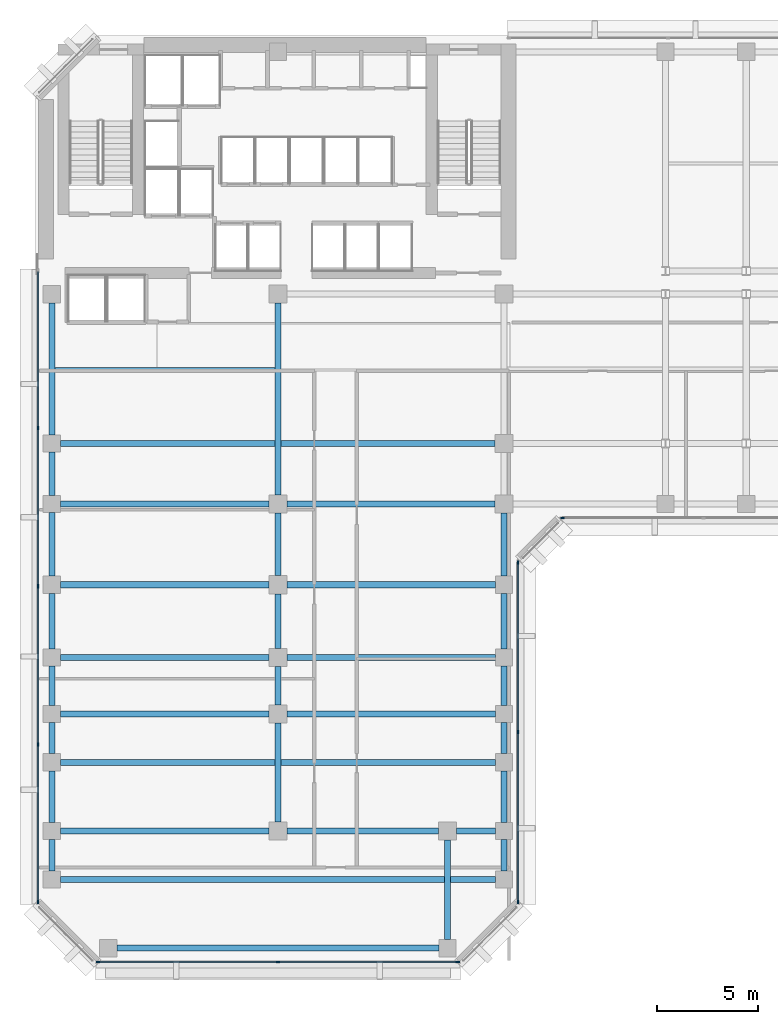
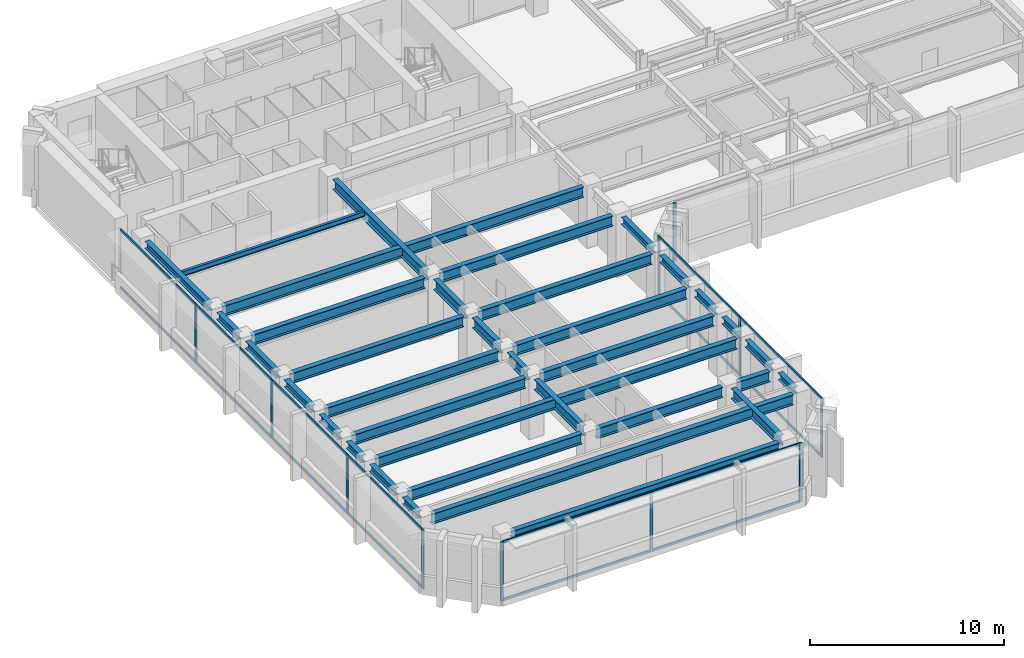
# One storey, part 2 of 12: 36 beams, 27 members, 4 elements without a shape of their own.
"""IFC4 building model written with IfcOpenShell, lengths in metres."""

from ifc_helpers import new_model, si_unit, direction, frame, origin, origin_2d, place, context, subcontext, project, spatial, rectangle, i_section, extrude, material, layer, layer_set, material_profile, profile_set, type_object, element, aggregate, save


model = new_model("IFC4")

# Units and contexts
model_context = context("Model", 3, precision=1e-05, world=origin(), true_north=direction((0.0, 1.0)))
body_context = subcontext(model_context, "Body", "Model", "MODEL_VIEW")
ifc_project = project(units=[si_unit("LENGTHUNIT", "METRE"), si_unit("AREAUNIT", "SQUARE_METRE"), si_unit("VOLUMEUNIT", "CUBIC_METRE"), si_unit("PLANEANGLEUNIT", "RADIAN"), si_unit("MASSUNIT", "GRAM", prefix="KILO")], contexts=[model_context])

# Site, building, storey
site_placement = place(None, origin())
site = spatial("IfcSite", under=ifc_project, at=site_placement, CompositionType="ELEMENT")
building_placement = place(site_placement, origin())
building = spatial("IfcBuilding", under=site, at=building_placement, Name="Kefirva Bronze Tower", CompositionType="ELEMENT")
storey_placement = place(building_placement, frame((0.0, 0.0, 110.550048828125)))
storey = spatial("IfcBuildingStorey", under=building, at=storey_placement, Name="L26", CompositionType="ELEMENT", Elevation=110.550048828125)

# Curtain wall, members
ifc_material_1 = material(Name="Bronze anodised aluminium", Category="aluminium")
ifc_layer = layer(ifc_material_1, 0.199951171875, Name="Bronze anodised aluminium")
ifc_layer_set = layer_set([ifc_layer], Name="Bronze anodised aluminium")
curtain_wall_type = type_object("IfcCurtainWallType", Name="Unitised Bronze Ribbon Curtain Wall Zone 2", PredefinedType="USERDEFINED", material=ifc_layer_set)
curtain_wall_1_placement = place(storey_placement, origin())
curtain_wall_1 = element("IfcCurtainWall", 1, at=curtain_wall_1_placement, inside=storey, type_object=curtain_wall_type, Name="L26 Curtain Wall 1", ObjectType="UNITISED CURTAIN WALL", PredefinedType="USERDEFINED")
ifc_material_profile_1 = material_profile(ifc_material_1, rectangle(XDim=0.074951171875, YDim=0.179931640625, at=origin_2d()), Name="ALU 75x180")
ifc_profile_set_1 = profile_set([ifc_material_profile_1], Name="Bronze anodised aluminium")
member_type_1 = type_object("IfcMemberType", Name="Bronze Mullion 75x180", PredefinedType="MULLION", material=ifc_profile_set_1)
member_1_placement = place(storey_placement, frame((3.092529296875, 0.1201171875, 0.0), z_axis=(0.0, 0.0, 1.0), x_axis=(0.0, 1.0, 0.0)))
member_1 = element("IfcMember", 2, at=member_1_placement, type_object=member_type_1, Name="CW-02 mullion 1", PredefinedType="MULLION", context=body_context, shape_type="SweptSolid", body=[
    extrude(rectangle(XDim=0.074951171875, YDim=0.179931640625, at=origin_2d()), origin(), (0.0, 0.0, 1.0), 3.7099609375),
])
member_2_placement = place(storey_placement, frame((12.0, 0.1201171875, 0.0), z_axis=(0.0, 0.0, 1.0), x_axis=(0.0, 1.0, 0.0)))
member_2 = element("IfcMember", 3, at=member_2_placement, type_object=member_type_1, Name="CW-02 mullion 2", PredefinedType="MULLION", context=body_context, shape_type="SweptSolid", body=[
    extrude(rectangle(XDim=0.074951171875, YDim=0.179931640625, at=origin_2d()), origin(), (0.0, 0.0, 1.0), 3.7099609375),
])
member_3_placement = place(storey_placement, frame((20.907470703125, 0.1201171875, 0.0), z_axis=(0.0, 0.0, 1.0), x_axis=(0.0, 1.0, 0.0)))
member_3 = element("IfcMember", 4, at=member_3_placement, type_object=member_type_1, Name="CW-02 mullion 3", PredefinedType="MULLION", context=body_context, shape_type="SweptSolid", body=[
    extrude(rectangle(XDim=0.074951171875, YDim=0.179931640625, at=origin_2d()), origin(), (0.0, 0.0, 1.0), 3.7099609375),
])

curtain_wall_2_placement = place(storey_placement, origin())
curtain_wall_2 = element("IfcCurtainWall", 5, at=curtain_wall_2_placement, inside=storey, type_object=curtain_wall_type, Name="L26 Curtain Wall 2", ObjectType="UNITISED CURTAIN WALL", PredefinedType="USERDEFINED")
member_4_placement = place(storey_placement, frame((23.8798828125, 3.092529296875, 0.0), z_axis=(0.0, 0.0, 1.0), x_axis=(-1.0, 0.0, 0.0)))
member_4 = element("IfcMember", 6, at=member_4_placement, type_object=member_type_1, Name="CW-02 mullion 1", PredefinedType="MULLION", context=body_context, shape_type="SweptSolid", body=[
    extrude(rectangle(XDim=0.074951171875, YDim=0.179931640625, at=origin_2d()), origin(), (0.0, 0.0, 1.0), 3.7099609375),
])
member_5_placement = place(storey_placement, frame((23.8798828125, 11.5, 0.0), z_axis=(0.0, 0.0, 1.0), x_axis=(-1.0, 0.0, 0.0)))
member_5 = element("IfcMember", 7, at=member_5_placement, type_object=member_type_1, Name="CW-02 mullion 2", PredefinedType="MULLION", context=body_context, shape_type="SweptSolid", body=[
    extrude(rectangle(XDim=0.074951171875, YDim=0.179931640625, at=origin_2d()), origin(), (0.0, 0.0, 1.0), 3.7099609375),
])
member_6_placement = place(storey_placement, frame((23.8798828125, 19.907470703125, 0.0), z_axis=(0.0, 0.0, 1.0), x_axis=(-1.0, 0.0, 0.0)))
member_6 = element("IfcMember", 8, at=member_6_placement, type_object=member_type_1, Name="CW-02 mullion 3", PredefinedType="MULLION", context=body_context, shape_type="SweptSolid", body=[
    extrude(rectangle(XDim=0.074951171875, YDim=0.179931640625, at=origin_2d()), origin(), (0.0, 0.0, 1.0), 3.7099609375),
])

# Curtain wall, member
curtain_wall_3_placement = place(storey_placement, origin())
curtain_wall_3 = element("IfcCurtainWall", 9, at=curtain_wall_3_placement, inside=storey, type_object=curtain_wall_type, Name="L26 Curtain Wall 3", ObjectType="UNITISED CURTAIN WALL", PredefinedType="USERDEFINED")
member_7_placement = place(storey_placement, frame((26.092529296875, 22.1201171875, 0.0), z_axis=(0.0, 0.0, 1.0), x_axis=(0.0, 1.0, 0.0)))
member_7 = element("IfcMember", 10, at=member_7_placement, type_object=member_type_1, Name="CW-02 mullion 1", PredefinedType="MULLION", context=body_context, shape_type="SweptSolid", body=[
    extrude(rectangle(XDim=0.074951171875, YDim=0.179931640625, at=origin_2d()), origin(), (0.0, 0.0, 1.0), 3.7099609375),
])
aggregate(curtain_wall_3, [member_7])

# Curtain wall, members
curtain_wall_4_placement = place(storey_placement, origin())
curtain_wall_4 = element("IfcCurtainWall", 11, at=curtain_wall_4_placement, inside=storey, type_object=curtain_wall_type, Name="L26 Curtain Wall 5", ObjectType="UNITISED CURTAIN WALL", PredefinedType="USERDEFINED")
member_8_placement = place(storey_placement, frame((0.1201171875, 26.56005859375, 0.0), z_axis=(0.0, 0.0, 1.0), x_axis=(1.0, 0.0, 0.0)))
member_8 = element("IfcMember", 12, at=member_8_placement, type_object=member_type_1, Name="CW-02 mullion 2", PredefinedType="MULLION", context=body_context, shape_type="SweptSolid", body=[
    extrude(rectangle(XDim=0.074951171875, YDim=0.179931640625, at=origin_2d()), origin(), (0.0, 0.0, 1.0), 3.7099609375),
])
member_9_placement = place(storey_placement, frame((0.1201171875, 18.72509765625, 0.0), z_axis=(0.0, 0.0, 1.0), x_axis=(1.0, 0.0, 0.0)))
member_9 = element("IfcMember", 13, at=member_9_placement, type_object=member_type_1, Name="CW-02 mullion 3", PredefinedType="MULLION", context=body_context, shape_type="SweptSolid", body=[
    extrude(rectangle(XDim=0.074951171875, YDim=0.179931640625, at=origin_2d()), origin(), (0.0, 0.0, 1.0), 3.7099609375),
])
member_10_placement = place(storey_placement, frame((0.1201171875, 10.889892578125, 0.0), z_axis=(0.0, 0.0, 1.0), x_axis=(1.0, 0.0, 0.0)))
member_10 = element("IfcMember", 14, at=member_10_placement, type_object=member_type_1, Name="CW-02 mullion 4", PredefinedType="MULLION", context=body_context, shape_type="SweptSolid", body=[
    extrude(rectangle(XDim=0.074951171875, YDim=0.179931640625, at=origin_2d()), origin(), (0.0, 0.0, 1.0), 3.7099609375),
])
member_11_placement = place(storey_placement, frame((0.1201171875, 3.092529296875, 0.0), z_axis=(0.0, 0.0, 1.0), x_axis=(1.0, 0.0, 0.0)))
member_11 = element("IfcMember", 15, at=member_11_placement, type_object=member_type_1, Name="CW-02 mullion 5", PredefinedType="MULLION", context=body_context, shape_type="SweptSolid", body=[
    extrude(rectangle(XDim=0.074951171875, YDim=0.179931640625, at=origin_2d()), origin(), (0.0, 0.0, 1.0), 3.7099609375),
])

# Member
ifc_material_profile_2 = material_profile(ifc_material_1, rectangle(XDim=0.074951171875, YDim=0.14990234375, at=origin_2d()), Name="ALU 75x150")
ifc_profile_set_2 = profile_set([ifc_material_profile_2], Name="Bronze anodised aluminium")
member_type_2 = type_object("IfcMemberType", Name="Bronze Transom 75x150", PredefinedType="USERDEFINED", material=ifc_profile_set_2)
member_12_placement = place(storey_placement, frame((3.1298828125, 0.1201171875, 0.037353515625), z_axis=(1.0, 0.0, 0.0), x_axis=(0.0, 1.0, 0.0)))
member_12 = element("IfcMember", 16, at=member_12_placement, type_object=member_type_2, Name="CW-02 transom 1.1", ObjectType="TRANSOM", PredefinedType="USERDEFINED", context=body_context, shape_type="SweptSolid", body=[
    extrude(rectangle(XDim=0.074951171875, YDim=0.14990234375, at=origin_2d()), origin(), (0.0, 0.0, 1.0), 8.83251953125),
])

member_13_placement = place(storey_placement, frame((3.1298828125, 0.1201171875, 3.67236328125), z_axis=(1.0, 0.0, 0.0), x_axis=(0.0, 1.0, 0.0)))
member_13 = element("IfcMember", 17, at=member_13_placement, type_object=member_type_2, Name="CW-02 transom 1.2", ObjectType="TRANSOM", PredefinedType="USERDEFINED", context=body_context, shape_type="SweptSolid", body=[
    extrude(rectangle(XDim=0.074951171875, YDim=0.14990234375, at=origin_2d()), origin(), (0.0, 0.0, 1.0), 8.83251953125),
])

member_14_placement = place(storey_placement, frame((12.03759765625, 0.1201171875, 0.037353515625), z_axis=(1.0, 0.0, 0.0), x_axis=(0.0, 1.0, 0.0)))
member_14 = element("IfcMember", 18, at=member_14_placement, type_object=member_type_2, Name="CW-02 transom 2.1", ObjectType="TRANSOM", PredefinedType="USERDEFINED", context=body_context, shape_type="SweptSolid", body=[
    extrude(rectangle(XDim=0.074951171875, YDim=0.14990234375, at=origin_2d()), origin(), (0.0, 0.0, 1.0), 8.83251953125),
])

member_15_placement = place(storey_placement, frame((12.03759765625, 0.1201171875, 3.67236328125), z_axis=(1.0, 0.0, 0.0), x_axis=(0.0, 1.0, 0.0)))
member_15 = element("IfcMember", 19, at=member_15_placement, type_object=member_type_2, Name="CW-02 transom 2.2", ObjectType="TRANSOM", PredefinedType="USERDEFINED", context=body_context, shape_type="SweptSolid", body=[
    extrude(rectangle(XDim=0.074951171875, YDim=0.14990234375, at=origin_2d()), origin(), (0.0, 0.0, 1.0), 8.83251953125),
])

aggregate(curtain_wall_1, [member_1, member_2, member_3, member_12, member_13, member_14, member_15])

member_16_placement = place(storey_placement, frame((23.8798828125, 3.1298828125, 0.037353515625), z_axis=(0.0, 1.0, 0.0), x_axis=(-1.0, 0.0, 0.0)))
member_16 = element("IfcMember", 20, at=member_16_placement, type_object=member_type_2, Name="CW-02 transom 1.1", ObjectType="TRANSOM", PredefinedType="USERDEFINED", context=body_context, shape_type="SweptSolid", body=[
    extrude(rectangle(XDim=0.074951171875, YDim=0.14990234375, at=origin_2d()), origin(), (0.0, 0.0, 1.0), 8.33251953125),
])

member_17_placement = place(storey_placement, frame((23.8798828125, 3.1298828125, 3.67236328125), z_axis=(0.0, 1.0, 0.0), x_axis=(-1.0, 0.0, 0.0)))
member_17 = element("IfcMember", 21, at=member_17_placement, type_object=member_type_2, Name="CW-02 transom 1.2", ObjectType="TRANSOM", PredefinedType="USERDEFINED", context=body_context, shape_type="SweptSolid", body=[
    extrude(rectangle(XDim=0.074951171875, YDim=0.14990234375, at=origin_2d()), origin(), (0.0, 0.0, 1.0), 8.33251953125),
])

member_18_placement = place(storey_placement, frame((23.8798828125, 11.53759765625, 0.037353515625), z_axis=(0.0, 1.0, 0.0), x_axis=(-1.0, 0.0, 0.0)))
member_18 = element("IfcMember", 22, at=member_18_placement, type_object=member_type_2, Name="CW-02 transom 2.1", ObjectType="TRANSOM", PredefinedType="USERDEFINED", context=body_context, shape_type="SweptSolid", body=[
    extrude(rectangle(XDim=0.074951171875, YDim=0.14990234375, at=origin_2d()), origin(), (0.0, 0.0, 1.0), 8.33251953125),
])

member_19_placement = place(storey_placement, frame((23.8798828125, 11.53759765625, 3.67236328125), z_axis=(0.0, 1.0, 0.0), x_axis=(-1.0, 0.0, 0.0)))
member_19 = element("IfcMember", 23, at=member_19_placement, type_object=member_type_2, Name="CW-02 transom 2.2", ObjectType="TRANSOM", PredefinedType="USERDEFINED", context=body_context, shape_type="SweptSolid", body=[
    extrude(rectangle(XDim=0.074951171875, YDim=0.14990234375, at=origin_2d()), origin(), (0.0, 0.0, 1.0), 8.33251953125),
])

aggregate(curtain_wall_2, [member_4, member_5, member_6, member_16, member_17, member_18, member_19])

member_20_placement = place(storey_placement, frame((0.1201171875, 34.320068359375, 0.037353515625), z_axis=(0.0, -1.0, 0.0), x_axis=(1.0, 0.0, 0.0)))
member_20 = element("IfcMember", 24, at=member_20_placement, type_object=member_type_2, Name="CW-02 transom 1.1", ObjectType="TRANSOM", PredefinedType="USERDEFINED", context=body_context, shape_type="SweptSolid", body=[
    extrude(rectangle(XDim=0.074951171875, YDim=0.14990234375, at=origin_2d()), origin(), (0.0, 0.0, 1.0), 7.72265625),
])

member_21_placement = place(storey_placement, frame((0.1201171875, 34.320068359375, 3.67236328125), z_axis=(0.0, -1.0, 0.0), x_axis=(1.0, 0.0, 0.0)))
member_21 = element("IfcMember", 25, at=member_21_placement, type_object=member_type_2, Name="CW-02 transom 1.2", ObjectType="TRANSOM", PredefinedType="USERDEFINED", context=body_context, shape_type="SweptSolid", body=[
    extrude(rectangle(XDim=0.074951171875, YDim=0.14990234375, at=origin_2d()), origin(), (0.0, 0.0, 1.0), 7.72265625),
])

member_22_placement = place(storey_placement, frame((0.1201171875, 26.5224609375, 0.037353515625), z_axis=(0.0, -1.0, 0.0), x_axis=(1.0, 0.0, 0.0)))
member_22 = element("IfcMember", 26, at=member_22_placement, type_object=member_type_2, Name="CW-02 transom 2.1", ObjectType="TRANSOM", PredefinedType="USERDEFINED", context=body_context, shape_type="SweptSolid", body=[
    extrude(rectangle(XDim=0.074951171875, YDim=0.14990234375, at=origin_2d()), origin(), (0.0, 0.0, 1.0), 7.760009765625),
])

member_23_placement = place(storey_placement, frame((0.1201171875, 26.5224609375, 3.67236328125), z_axis=(0.0, -1.0, 0.0), x_axis=(1.0, 0.0, 0.0)))
member_23 = element("IfcMember", 27, at=member_23_placement, type_object=member_type_2, Name="CW-02 transom 2.2", ObjectType="TRANSOM", PredefinedType="USERDEFINED", context=body_context, shape_type="SweptSolid", body=[
    extrude(rectangle(XDim=0.074951171875, YDim=0.14990234375, at=origin_2d()), origin(), (0.0, 0.0, 1.0), 7.760009765625),
])

member_24_placement = place(storey_placement, frame((0.1201171875, 18.6875, 0.037353515625), z_axis=(0.0, -1.0, 0.0), x_axis=(1.0, 0.0, 0.0)))
member_24 = element("IfcMember", 28, at=member_24_placement, type_object=member_type_2, Name="CW-02 transom 3.1", ObjectType="TRANSOM", PredefinedType="USERDEFINED", context=body_context, shape_type="SweptSolid", body=[
    extrude(rectangle(XDim=0.074951171875, YDim=0.14990234375, at=origin_2d()), origin(), (0.0, 0.0, 1.0), 7.760009765625),
])

member_25_placement = place(storey_placement, frame((0.1201171875, 18.6875, 3.67236328125), z_axis=(0.0, -1.0, 0.0), x_axis=(1.0, 0.0, 0.0)))
member_25 = element("IfcMember", 29, at=member_25_placement, type_object=member_type_2, Name="CW-02 transom 3.2", ObjectType="TRANSOM", PredefinedType="USERDEFINED", context=body_context, shape_type="SweptSolid", body=[
    extrude(rectangle(XDim=0.074951171875, YDim=0.14990234375, at=origin_2d()), origin(), (0.0, 0.0, 1.0), 7.760009765625),
])

member_26_placement = place(storey_placement, frame((0.1201171875, 10.8525390625, 0.037353515625), z_axis=(0.0, -1.0, 0.0), x_axis=(1.0, 0.0, 0.0)))
member_26 = element("IfcMember", 30, at=member_26_placement, type_object=member_type_2, Name="CW-02 transom 4.1", ObjectType="TRANSOM", PredefinedType="USERDEFINED", context=body_context, shape_type="SweptSolid", body=[
    extrude(rectangle(XDim=0.074951171875, YDim=0.14990234375, at=origin_2d()), origin(), (0.0, 0.0, 1.0), 7.72265625),
])

member_27_placement = place(storey_placement, frame((0.1201171875, 10.8525390625, 3.67236328125), z_axis=(0.0, -1.0, 0.0), x_axis=(1.0, 0.0, 0.0)))
member_27 = element("IfcMember", 31, at=member_27_placement, type_object=member_type_2, Name="CW-02 transom 4.2", ObjectType="TRANSOM", PredefinedType="USERDEFINED", context=body_context, shape_type="SweptSolid", body=[
    extrude(rectangle(XDim=0.074951171875, YDim=0.14990234375, at=origin_2d()), origin(), (0.0, 0.0, 1.0), 7.72265625),
])

aggregate(curtain_wall_4, [member_8, member_9, member_10, member_11, member_20, member_21, member_22, member_23, member_24, member_25, member_26, member_27])

# Beams
ifc_material_2 = material(Name="Steel S355", Category="steel")
ifc_material_profile_3 = material_profile(ifc_material_2, i_section(OverallWidth=0.159912109375, OverallDepth=0.330078125, WebThickness=0.007568359375, FlangeThickness=0.011474609375, at=origin_2d()), Name="IPE 330")
ifc_profile_set_3 = profile_set([ifc_material_profile_3], Name="Steel S355")
beam_type_1 = type_object("IfcBeamType", Name="Steel Floor Joist IPE 330", PredefinedType="JOIST", material=ifc_profile_set_3)
beam_1_placement = place(storey_placement, frame((0.949951171875, 29.489990234375, 3.544921875), z_axis=(1.0, 0.0, 0.0), x_axis=(0.0, 1.0, 0.0)))
element("IfcBeam", 32, at=beam_1_placement, inside=storey, type_object=beam_type_1, Name="L26 JST-L26-0-294", PredefinedType="JOIST", context=body_context, shape_type="SweptSolid", body=[
    extrude(i_section(OverallWidth=0.159912109375, OverallDepth=0.330078125, WebThickness=0.007568359375, FlangeThickness=0.011474609375, at=origin_2d()), origin(), (0.0, 0.0, 1.0), 10.900146484375),
])
ifc_material_profile_4 = material_profile(ifc_material_2, i_section(OverallWidth=0.300048828125, OverallDepth=0.64990234375, WebThickness=0.01611328125, FlangeThickness=0.031005859375, at=origin_2d()), Name="HEB 650")
ifc_profile_set_4 = profile_set([ifc_material_profile_4], Name="Steel S355")
beam_type_2 = type_object("IfcBeamType", Name="Steel Girder HEB 650", PredefinedType="USERDEFINED", material=ifc_profile_set_4)
beam_2_placement = place(storey_placement, frame((1.22998046875, 4.199951171875, 3.385009765625), z_axis=(1.0, 0.0, 0.0), x_axis=(0.0, 1.0, 0.0)))
element("IfcBeam", 33, at=beam_2_placement, inside=storey, type_object=beam_type_2, Name="L26 BM-L26-EW-0-42", ObjectType="GIRDER", PredefinedType="USERDEFINED", context=body_context, shape_type="SweptSolid", body=[
    extrude(i_section(OverallWidth=0.300048828125, OverallDepth=0.64990234375, WebThickness=0.01611328125, FlangeThickness=0.031005859375, at=origin_2d()), origin(), (0.0, 0.0, 1.0), 21.5400390625),
])
beam_3_placement = place(storey_placement, frame((1.22998046875, 6.60009765625, 3.385009765625), z_axis=(1.0, 0.0, 0.0), x_axis=(0.0, 1.0, 0.0)))
element("IfcBeam", 34, at=beam_3_placement, inside=storey, type_object=beam_type_2, Name="L26 BM-L26-EW-0-66", ObjectType="GIRDER", PredefinedType="USERDEFINED", context=body_context, shape_type="SweptSolid", body=[
    extrude(i_section(OverallWidth=0.300048828125, OverallDepth=0.64990234375, WebThickness=0.01611328125, FlangeThickness=0.031005859375, at=origin_2d()), origin(), (0.0, 0.0, 1.0), 10.320068359375),
])
beam_4_placement = place(storey_placement, frame((12.449951171875, 6.60009765625, 3.385009765625), z_axis=(1.0, 0.0, 0.0), x_axis=(0.0, 1.0, 0.0)))
element("IfcBeam", 35, at=beam_4_placement, inside=storey, type_object=beam_type_2, Name="L26 BM-L26-EW-12-66", ObjectType="GIRDER", PredefinedType="USERDEFINED", context=body_context, shape_type="SweptSolid", body=[
    extrude(i_section(OverallWidth=0.300048828125, OverallDepth=0.64990234375, WebThickness=0.01611328125, FlangeThickness=0.031005859375, at=origin_2d()), origin(), (0.0, 0.0, 1.0), 7.5),
])
beam_5_placement = place(storey_placement, frame((20.85009765625, 6.60009765625, 3.385009765625), z_axis=(1.0, 0.0, 0.0), x_axis=(0.0, 1.0, 0.0)))
element("IfcBeam", 36, at=beam_5_placement, inside=storey, type_object=beam_type_2, Name="L26 BM-L26-EW-20-66", ObjectType="GIRDER", PredefinedType="USERDEFINED", context=body_context, shape_type="SweptSolid", body=[
    extrude(i_section(OverallWidth=0.300048828125, OverallDepth=0.64990234375, WebThickness=0.01611328125, FlangeThickness=0.031005859375, at=origin_2d()), origin(), (0.0, 0.0, 1.0), 1.919921875),
])
beam_6_placement = place(storey_placement, frame((1.22998046875, 10.0, 3.385009765625), z_axis=(1.0, 0.0, 0.0), x_axis=(0.0, 1.0, 0.0)))
element("IfcBeam", 37, at=beam_6_placement, inside=storey, type_object=beam_type_2, Name="L26 BM-L26-EW-0-100", ObjectType="GIRDER", PredefinedType="USERDEFINED", context=body_context, shape_type="SweptSolid", body=[
    extrude(i_section(OverallWidth=0.300048828125, OverallDepth=0.64990234375, WebThickness=0.01611328125, FlangeThickness=0.031005859375, at=origin_2d()), origin(), (0.0, 0.0, 1.0), 21.5400390625),
])
for number, where, z_axis, x_axis, name in (
    (38, (1.22998046875, 12.39990234375, 3.385009765625), (1.0, 0.0, 0.0), (0.0, 1.0, 0.0), "L26 BM-L26-EW-0-124"),
    (39, (12.449951171875, 12.39990234375, 3.385009765625), (1.0, 0.0, 0.0), (0.0, 1.0, 0.0), "L26 BM-L26-EW-12-124"),
    (40, (1.22998046875, 15.199951171875, 3.385009765625), (1.0, 0.0, 0.0), (0.0, 1.0, 0.0), "L26 BM-L26-EW-0-152"),
    (41, (12.449951171875, 15.199951171875, 3.385009765625), (1.0, 0.0, 0.0), (0.0, 1.0, 0.0), "L26 BM-L26-EW-12-152"),
    (42, (1.22998046875, 18.800048828125, 3.385009765625), (1.0, 0.0, 0.0), (0.0, 1.0, 0.0), "L26 BM-L26-EW-0-188"),
    (43, (12.449951171875, 18.800048828125, 3.385009765625), (1.0, 0.0, 0.0), (0.0, 1.0, 0.0), "L26 BM-L26-EW-12-188"),
    (44, (1.22998046875, 22.800048828125, 3.385009765625), (1.0, 0.0, 0.0), (0.0, 1.0, 0.0), "L26 BM-L26-EW-0-228"),
):
    element("IfcBeam", number, at=place(storey_placement, frame(where, z_axis=z_axis, x_axis=x_axis)), inside=storey, type_object=beam_type_2, Name=name, ObjectType="GIRDER", PredefinedType="USERDEFINED", context=body_context, shape_type="SweptSolid", body=[
        extrude(i_section(OverallWidth=0.300048828125, OverallDepth=0.64990234375, WebThickness=0.01611328125, FlangeThickness=0.031005859375, at=origin_2d()), origin(), (0.0, 0.0, 1.0), 10.320068359375),
    ])
beam_7_placement = place(storey_placement, frame((12.449951171875, 22.800048828125, 3.385009765625), z_axis=(1.0, 0.0, 0.0), x_axis=(0.0, 1.0, 0.0)))
element("IfcBeam", 45, at=beam_7_placement, inside=storey, type_object=beam_type_2, Name="L26 BM-L26-EW-12-228", ObjectType="GIRDER", PredefinedType="USERDEFINED", context=body_context, shape_type="SweptSolid", body=[
    extrude(i_section(OverallWidth=0.300048828125, OverallDepth=0.64990234375, WebThickness=0.01611328125, FlangeThickness=0.031005859375, at=origin_2d()), origin(), (0.0, 0.0, 1.0), 10.300048828125),
])
beam_8_placement = place(storey_placement, frame((1.22998046875, 25.800048828125, 3.385009765625), z_axis=(1.0, 0.0, 0.0), x_axis=(0.0, 1.0, 0.0)))
element("IfcBeam", 46, at=beam_8_placement, inside=storey, type_object=beam_type_2, Name="L26 BM-L26-EW-0-258", ObjectType="GIRDER", PredefinedType="USERDEFINED", context=body_context, shape_type="SweptSolid", body=[
    extrude(i_section(OverallWidth=0.300048828125, OverallDepth=0.64990234375, WebThickness=0.01611328125, FlangeThickness=0.031005859375, at=origin_2d()), origin(), (0.0, 0.0, 1.0), 21.52001953125),
])
beam_9_placement = place(storey_placement, frame((12.0, 7.050048828125, 3.385009765625), z_axis=(0.0, 1.0, 0.0), x_axis=(-1.0, 0.0, 0.0)))
element("IfcBeam", 47, at=beam_9_placement, inside=storey, type_object=beam_type_2, Name="L26 BM-L26-NS-120-6", ObjectType="GIRDER", PredefinedType="USERDEFINED", context=body_context, shape_type="SweptSolid", body=[
    extrude(i_section(OverallWidth=0.300048828125, OverallDepth=0.64990234375, WebThickness=0.01611328125, FlangeThickness=0.031005859375, at=origin_2d()), origin(), (0.0, 0.0, 1.0), 4.89990234375),
])
beam_10_placement = place(storey_placement, frame((12.0, 12.85009765625, 3.385009765625), z_axis=(0.0, 1.0, 0.0), x_axis=(-1.0, 0.0, 0.0)))
element("IfcBeam", 48, at=beam_10_placement, inside=storey, type_object=beam_type_2, Name="L26 BM-L26-NS-120-12", ObjectType="GIRDER", PredefinedType="USERDEFINED", context=body_context, shape_type="SweptSolid", body=[
    extrude(i_section(OverallWidth=0.300048828125, OverallDepth=0.64990234375, WebThickness=0.01611328125, FlangeThickness=0.031005859375, at=origin_2d()), origin(), (0.0, 0.0, 1.0), 1.89990234375),
])
beam_11_placement = place(storey_placement, frame((12.0, 15.64990234375, 3.385009765625), z_axis=(0.0, 1.0, 0.0), x_axis=(-1.0, 0.0, 0.0)))
element("IfcBeam", 49, at=beam_11_placement, inside=storey, type_object=beam_type_2, Name="L26 BM-L26-NS-120-15", ObjectType="GIRDER", PredefinedType="USERDEFINED", context=body_context, shape_type="SweptSolid", body=[
    extrude(i_section(OverallWidth=0.300048828125, OverallDepth=0.64990234375, WebThickness=0.01611328125, FlangeThickness=0.031005859375, at=origin_2d()), origin(), (0.0, 0.0, 1.0), 2.7001953125),
])
beam_12_placement = place(storey_placement, frame((12.0, 19.25, 3.385009765625), z_axis=(0.0, 1.0, 0.0), x_axis=(-1.0, 0.0, 0.0)))
element("IfcBeam", 50, at=beam_12_placement, inside=storey, type_object=beam_type_2, Name="L26 BM-L26-NS-120-18", ObjectType="GIRDER", PredefinedType="USERDEFINED", context=body_context, shape_type="SweptSolid", body=[
    extrude(i_section(OverallWidth=0.300048828125, OverallDepth=0.64990234375, WebThickness=0.01611328125, FlangeThickness=0.031005859375, at=origin_2d()), origin(), (0.0, 0.0, 1.0), 3.10009765625),
])
beam_13_placement = place(storey_placement, frame((12.0, 23.25, 3.385009765625), z_axis=(0.0, 1.0, 0.0), x_axis=(-1.0, 0.0, 0.0)))
element("IfcBeam", 51, at=beam_13_placement, inside=storey, type_object=beam_type_2, Name="L26 BM-L26-NS-120-22", ObjectType="GIRDER", PredefinedType="USERDEFINED", context=body_context, shape_type="SweptSolid", body=[
    extrude(i_section(OverallWidth=0.300048828125, OverallDepth=0.64990234375, WebThickness=0.01611328125, FlangeThickness=0.031005859375, at=origin_2d()), origin(), (0.0, 0.0, 1.0), 9.5),
])
beam_14_placement = place(storey_placement, frame((20.39990234375, 1.22998046875, 3.385009765625), z_axis=(0.0, 1.0, 0.0), x_axis=(-1.0, 0.0, 0.0)))
element("IfcBeam", 52, at=beam_14_placement, inside=storey, type_object=beam_type_2, Name="L26 BM-L26-NS-204-0", ObjectType="GIRDER", PredefinedType="USERDEFINED", context=body_context, shape_type="SweptSolid", body=[
    extrude(i_section(OverallWidth=0.300048828125, OverallDepth=0.64990234375, WebThickness=0.01611328125, FlangeThickness=0.031005859375, at=origin_2d()), origin(), (0.0, 0.0, 1.0), 4.919921875),
])
ifc_material_profile_5 = material_profile(ifc_material_2, i_section(OverallWidth=0.300048828125, OverallDepth=0.449951171875, WebThickness=0.013916015625, FlangeThickness=0.02587890625, at=origin_2d()), Name="HEB 450")
ifc_profile_set_5 = profile_set([ifc_material_profile_5], Name="Steel S355")
beam_type_3 = type_object("IfcBeamType", Name="Steel Spandrel HEB 450 Ext", PredefinedType="SPANDREL", material=ifc_profile_set_5)
beam_15_placement = place(storey_placement, frame((4.030029296875, 0.800048828125, 3.48486328125), z_axis=(1.0, 0.0, 0.0), x_axis=(0.0, 1.0, 0.0)))
element("IfcBeam", 53, at=beam_15_placement, inside=storey, type_object=beam_type_3, Name="L26 BM-L26-EW-3-8", PredefinedType="SPANDREL", context=body_context, shape_type="SweptSolid", body=[
    extrude(i_section(OverallWidth=0.300048828125, OverallDepth=0.449951171875, WebThickness=0.013916015625, FlangeThickness=0.02587890625, at=origin_2d()), origin(), (0.0, 0.0, 1.0), 15.93994140625),
])
beam_16_placement = place(storey_placement, frame((0.800048828125, 4.6298828125, 3.48486328125), z_axis=(0.0, 1.0, 0.0), x_axis=(-1.0, 0.0, 0.0)))
element("IfcBeam", 54, at=beam_16_placement, inside=storey, type_object=beam_type_3, Name="L26 BM-L26-NS-8-4", PredefinedType="SPANDREL", context=body_context, shape_type="SweptSolid", body=[
    extrude(i_section(OverallWidth=0.300048828125, OverallDepth=0.449951171875, WebThickness=0.013916015625, FlangeThickness=0.02587890625, at=origin_2d()), origin(), (0.0, 0.0, 1.0), 1.5400390625),
])
beam_17_placement = place(storey_placement, frame((0.800048828125, 7.030029296875, 3.48486328125), z_axis=(0.0, 1.0, 0.0), x_axis=(-1.0, 0.0, 0.0)))
element("IfcBeam", 55, at=beam_17_placement, inside=storey, type_object=beam_type_3, Name="L26 BM-L26-NS-8-6", PredefinedType="SPANDREL", context=body_context, shape_type="SweptSolid", body=[
    extrude(i_section(OverallWidth=0.300048828125, OverallDepth=0.449951171875, WebThickness=0.013916015625, FlangeThickness=0.02587890625, at=origin_2d()), origin(), (0.0, 0.0, 1.0), 2.5400390625),
])
beam_18_placement = place(storey_placement, frame((0.800048828125, 10.429931640625, 3.48486328125), z_axis=(0.0, 1.0, 0.0), x_axis=(-1.0, 0.0, 0.0)))
element("IfcBeam", 56, at=beam_18_placement, inside=storey, type_object=beam_type_3, Name="L26 BM-L26-NS-8-10", PredefinedType="SPANDREL", context=body_context, shape_type="SweptSolid", body=[
    extrude(i_section(OverallWidth=0.300048828125, OverallDepth=0.449951171875, WebThickness=0.013916015625, FlangeThickness=0.02587890625, at=origin_2d()), origin(), (0.0, 0.0, 1.0), 1.5400390625),
])
beam_19_placement = place(storey_placement, frame((0.800048828125, 12.830078125, 3.48486328125), z_axis=(0.0, 1.0, 0.0), x_axis=(-1.0, 0.0, 0.0)))
element("IfcBeam", 57, at=beam_19_placement, inside=storey, type_object=beam_type_3, Name="L26 BM-L26-NS-8-12", PredefinedType="SPANDREL", context=body_context, shape_type="SweptSolid", body=[
    extrude(i_section(OverallWidth=0.300048828125, OverallDepth=0.449951171875, WebThickness=0.013916015625, FlangeThickness=0.02587890625, at=origin_2d()), origin(), (0.0, 0.0, 1.0), 1.93994140625),
])
beam_20_placement = place(storey_placement, frame((0.800048828125, 15.6298828125, 3.48486328125), z_axis=(0.0, 1.0, 0.0), x_axis=(-1.0, 0.0, 0.0)))
element("IfcBeam", 58, at=beam_20_placement, inside=storey, type_object=beam_type_3, Name="L26 BM-L26-NS-8-15", PredefinedType="SPANDREL", context=body_context, shape_type="SweptSolid", body=[
    extrude(i_section(OverallWidth=0.300048828125, OverallDepth=0.449951171875, WebThickness=0.013916015625, FlangeThickness=0.02587890625, at=origin_2d()), origin(), (0.0, 0.0, 1.0), 2.740234375),
])
beam_21_placement = place(storey_placement, frame((0.800048828125, 19.22998046875, 3.48486328125), z_axis=(0.0, 1.0, 0.0), x_axis=(-1.0, 0.0, 0.0)))
element("IfcBeam", 59, at=beam_21_placement, inside=storey, type_object=beam_type_3, Name="L26 BM-L26-NS-8-18", PredefinedType="SPANDREL", context=body_context, shape_type="SweptSolid", body=[
    extrude(i_section(OverallWidth=0.300048828125, OverallDepth=0.449951171875, WebThickness=0.013916015625, FlangeThickness=0.02587890625, at=origin_2d()), origin(), (0.0, 0.0, 1.0), 3.14013671875),
])
beam_22_placement = place(storey_placement, frame((0.800048828125, 23.22998046875, 3.48486328125), z_axis=(0.0, 1.0, 0.0), x_axis=(-1.0, 0.0, 0.0)))
element("IfcBeam", 60, at=beam_22_placement, inside=storey, type_object=beam_type_3, Name="L26 BM-L26-NS-8-22", PredefinedType="SPANDREL", context=body_context, shape_type="SweptSolid", body=[
    extrude(i_section(OverallWidth=0.300048828125, OverallDepth=0.449951171875, WebThickness=0.013916015625, FlangeThickness=0.02587890625, at=origin_2d()), origin(), (0.0, 0.0, 1.0), 2.14013671875),
])
beam_23_placement = place(storey_placement, frame((0.800048828125, 26.22998046875, 3.48486328125), z_axis=(0.0, 1.0, 0.0), x_axis=(-1.0, 0.0, 0.0)))
element("IfcBeam", 61, at=beam_23_placement, inside=storey, type_object=beam_type_3, Name="L26 BM-L26-NS-8-25", PredefinedType="SPANDREL", context=body_context, shape_type="SweptSolid", body=[
    extrude(i_section(OverallWidth=0.300048828125, OverallDepth=0.449951171875, WebThickness=0.013916015625, FlangeThickness=0.02587890625, at=origin_2d()), origin(), (0.0, 0.0, 1.0), 6.5400390625),
])
beam_24_placement = place(storey_placement, frame((23.199951171875, 4.6298828125, 3.48486328125), z_axis=(0.0, 1.0, 0.0), x_axis=(-1.0, 0.0, 0.0)))
element("IfcBeam", 62, at=beam_24_placement, inside=storey, type_object=beam_type_3, Name="L26 BM-L26-NS-232-4", PredefinedType="SPANDREL", context=body_context, shape_type="SweptSolid", body=[
    extrude(i_section(OverallWidth=0.300048828125, OverallDepth=0.449951171875, WebThickness=0.013916015625, FlangeThickness=0.02587890625, at=origin_2d()), origin(), (0.0, 0.0, 1.0), 1.5400390625),
])
beam_25_placement = place(storey_placement, frame((23.199951171875, 7.030029296875, 3.48486328125), z_axis=(0.0, 1.0, 0.0), x_axis=(-1.0, 0.0, 0.0)))
element("IfcBeam", 63, at=beam_25_placement, inside=storey, type_object=beam_type_3, Name="L26 BM-L26-NS-232-6", PredefinedType="SPANDREL", context=body_context, shape_type="SweptSolid", body=[
    extrude(i_section(OverallWidth=0.300048828125, OverallDepth=0.449951171875, WebThickness=0.013916015625, FlangeThickness=0.02587890625, at=origin_2d()), origin(), (0.0, 0.0, 1.0), 2.5400390625),
])
beam_26_placement = place(storey_placement, frame((23.199951171875, 10.429931640625, 3.48486328125), z_axis=(0.0, 1.0, 0.0), x_axis=(-1.0, 0.0, 0.0)))
element("IfcBeam", 64, at=beam_26_placement, inside=storey, type_object=beam_type_3, Name="L26 BM-L26-NS-232-10", PredefinedType="SPANDREL", context=body_context, shape_type="SweptSolid", body=[
    extrude(i_section(OverallWidth=0.300048828125, OverallDepth=0.449951171875, WebThickness=0.013916015625, FlangeThickness=0.02587890625, at=origin_2d()), origin(), (0.0, 0.0, 1.0), 1.5400390625),
])
beam_27_placement = place(storey_placement, frame((23.199951171875, 12.830078125, 3.48486328125), z_axis=(0.0, 1.0, 0.0), x_axis=(-1.0, 0.0, 0.0)))
element("IfcBeam", 65, at=beam_27_placement, inside=storey, type_object=beam_type_3, Name="L26 BM-L26-NS-232-12", PredefinedType="SPANDREL", context=body_context, shape_type="SweptSolid", body=[
    extrude(i_section(OverallWidth=0.300048828125, OverallDepth=0.449951171875, WebThickness=0.013916015625, FlangeThickness=0.02587890625, at=origin_2d()), origin(), (0.0, 0.0, 1.0), 1.93994140625),
])
beam_28_placement = place(storey_placement, frame((23.199951171875, 15.6298828125, 3.48486328125), z_axis=(0.0, 1.0, 0.0), x_axis=(-1.0, 0.0, 0.0)))
element("IfcBeam", 66, at=beam_28_placement, inside=storey, type_object=beam_type_3, Name="L26 BM-L26-NS-232-15", PredefinedType="SPANDREL", context=body_context, shape_type="SweptSolid", body=[
    extrude(i_section(OverallWidth=0.300048828125, OverallDepth=0.449951171875, WebThickness=0.013916015625, FlangeThickness=0.02587890625, at=origin_2d()), origin(), (0.0, 0.0, 1.0), 2.740234375),
])
beam_29_placement = place(storey_placement, frame((23.199951171875, 19.22998046875, 3.48486328125), z_axis=(0.0, 1.0, 0.0), x_axis=(-1.0, 0.0, 0.0)))
element("IfcBeam", 67, at=beam_29_placement, inside=storey, type_object=beam_type_3, Name="L26 BM-L26-NS-232-18", PredefinedType="SPANDREL", context=body_context, shape_type="SweptSolid", body=[
    extrude(i_section(OverallWidth=0.300048828125, OverallDepth=0.449951171875, WebThickness=0.013916015625, FlangeThickness=0.02587890625, at=origin_2d()), origin(), (0.0, 0.0, 1.0), 3.1201171875),
])

save(model, "model.ifc")
